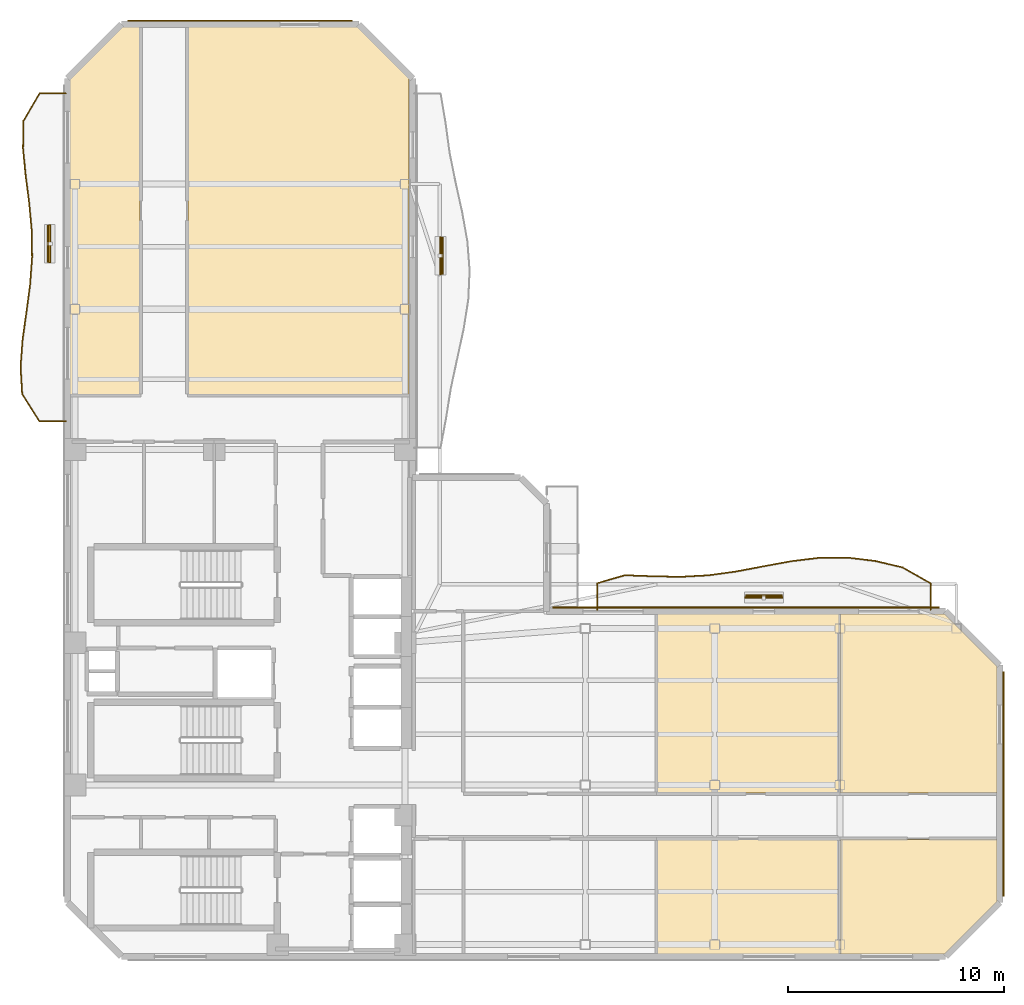
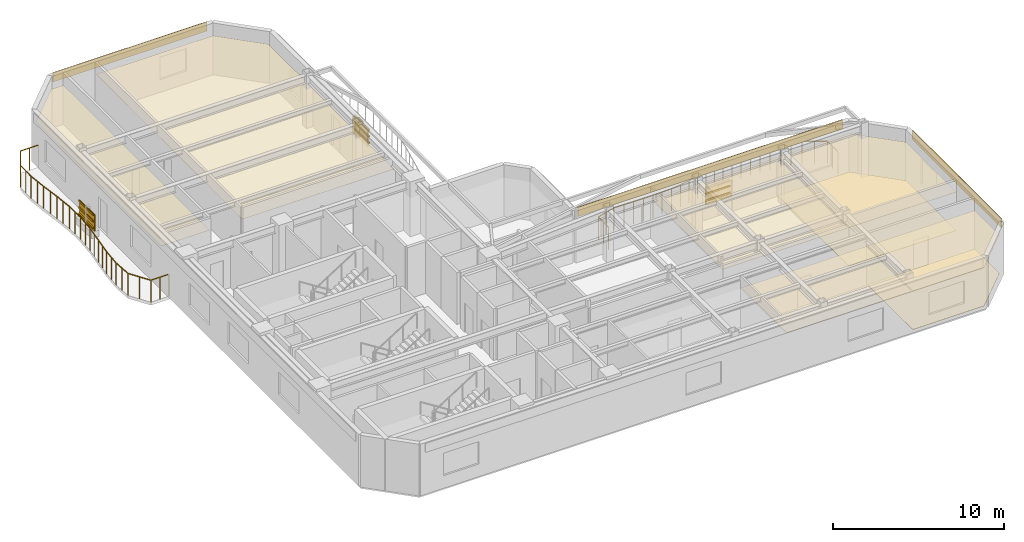
# One storey, part 11 of 11: 12 shading devices, 11 coverings, 2 railings.
"""IFC4 building model written with IfcOpenShell, lengths in metres."""

from ifc_helpers import new_model, si_unit, direction, frame, origin, origin_2d, place, context, subcontext, project, spatial, polyline, rectangle, outline, extrude, material, layer, layer_set, material_profile, profile_set, type_object, element, save


model = new_model("IFC4")

# Units and contexts
model_context = context("Model", 3, precision=1e-05, world=origin(), true_north=direction((0.0, 1.0)))
body_context = subcontext(model_context, "Body", "Model", "MODEL_VIEW")
ifc_project = project(units=[si_unit("LENGTHUNIT", "METRE"), si_unit("AREAUNIT", "SQUARE_METRE"), si_unit("VOLUMEUNIT", "CUBIC_METRE"), si_unit("PLANEANGLEUNIT", "RADIAN"), si_unit("MASSUNIT", "GRAM", prefix="KILO")], contexts=[model_context])

# Site, building, storey
site_placement = place(None, origin())
site = spatial("IfcSite", under=ifc_project, at=site_placement, CompositionType="ELEMENT")
building_placement = place(site_placement, origin())
building = spatial("IfcBuilding", under=site, at=building_placement, Name="Mawjaban Terraces University", CompositionType="ELEMENT")
storey_placement = place(building_placement, frame((0.0, 0.0, 214.800048828125)))
storey = spatial("IfcBuildingStorey", under=building, at=storey_placement, Name="L52", CompositionType="ELEMENT", Elevation=214.800048828125)

# Coverings
ifc_material_1 = material(Name="Acoustic mineral fibre ceiling tile", Category="masonry")
ifc_layer_1 = layer(ifc_material_1, 0.02001953125)
ifc_layer_set_1 = layer_set([ifc_layer_1], Name="Acoustic mineral fibre ceiling tile")
covering_type_1 = type_object("IfcCoveringType", Name="AcousticMineralCeiling_20", PredefinedType="CEILING", material=ifc_layer_set_1)
covering_1_placement = place(storey_placement, frame((0.0, 0.0, 2.75)))
element("IfcCovering", 1, at=covering_1_placement, inside=storey, type_object=covering_type_1, Name="L52 Graduate Study Lounge 4 Acoustic Ceiling", PredefinedType="CEILING", context=body_context, shape_type="SweptSolid", body=[
    extrude(outline(polyline([(49.325927734375, 0.114990234375), (57.77001953125, 0.114990234375), (57.77001953125, 5.419921875), (49.325927734375, 5.419921875), (49.325927734375, 0.114990234375)])), origin(), (0.0, 0.0, 1.0), 0.02001953125),
])
covering_2_placement = place(storey_placement, frame((0.0, 0.0, 2.75)))
element("IfcCovering", 2, at=covering_2_placement, inside=storey, type_object=covering_type_1, Name="L52 Collaborative Study Room 5 Acoustic Ceiling", PredefinedType="CEILING", context=body_context, shape_type="SweptSolid", body=[
    extrude(outline(polyline([(57.77001953125, 15.885009765625), (49.325927734375, 15.885009765625), (49.325927734375, 7.580078125), (57.77001953125, 7.580078125), (57.77001953125, 15.885009765625)])), origin(), (0.0, 0.0, 1.0), 0.02001953125),
])
covering_3_placement = place(storey_placement, frame((0.0, 0.0, 2.75)))
element("IfcCovering", 3, at=covering_3_placement, inside=storey, type_object=covering_type_1, Name="L52 Classroom 6 Acoustic Ceiling", PredefinedType="CEILING", context=body_context, shape_type="SweptSolid", body=[
    extrude(outline(polyline([(57.830078125, 0.114990234375), (62.653076171875, 0.114990234375), (65.0849609375, 2.547119140625), (65.0849609375, 5.419921875), (57.830078125, 5.419921875), (57.830078125, 0.114990234375)])), origin(), (0.0, 0.0, 1.0), 0.02001953125),
])
covering_4_placement = place(storey_placement, frame((0.0, 0.0, 2.75)))
element("IfcCovering", 4, at=covering_4_placement, inside=storey, type_object=covering_type_1, Name="L52 Seminar Room 7 Acoustic Ceiling", PredefinedType="CEILING", context=body_context, shape_type="SweptSolid", body=[
    extrude(outline(polyline([(65.0849609375, 7.580078125), (65.0849609375, 13.452880859375), (62.653076171875, 15.885009765625), (57.830078125, 15.885009765625), (57.830078125, 7.580078125), (65.0849609375, 7.580078125)])), origin(), (0.0, 0.0, 1.0), 0.02001953125),
])
covering_5_placement = place(storey_placement, frame((0.0, 0.0, 2.75)))
element("IfcCovering", 5, at=covering_5_placement, inside=storey, type_object=covering_type_1, Name="L52 Collaborative Study Room 8 Acoustic Ceiling", PredefinedType="CEILING", context=body_context, shape_type="SweptSolid", body=[
    extrude(outline(polyline([(25.3701171875, 43.0849609375), (24.547119140625, 43.0849609375), (22.114990234375, 40.653076171875), (22.114990234375, 26.030029296875), (25.3701171875, 26.030029296875), (25.3701171875, 43.0849609375)])), origin(), (0.0, 0.0, 1.0), 0.02001953125),
])
covering_6_placement = place(storey_placement, frame((0.0, 0.0, 2.75)))
element("IfcCovering", 6, at=covering_6_placement, inside=storey, type_object=covering_type_1, Name="L52 Collaborative Study Room 9 Acoustic Ceiling", PredefinedType="CEILING", context=body_context, shape_type="SweptSolid", body=[
    extrude(outline(polyline([(37.820068359375, 40.718017578125), (35.452880859375, 43.0849609375), (27.580078125, 43.0849609375), (27.580078125, 26.030029296875), (37.820068359375, 26.030029296875), (37.820068359375, 40.718017578125)])), origin(), (0.0, 0.0, 1.0), 0.02001953125),
])

# Railings
ifc_material_2 = material(Name="Galvanised powder-coated steel S355", Category="steel")
railing_type = type_object("IfcRailingType", Name="BalconyBalustrade_1600", PredefinedType="BALUSTRADE", material=ifc_material_2)
railing_1_placement = place(storey_placement, frame((21.919921875, 24.800048828125, 0.0)))
element("IfcRailing", 7, at=railing_1_placement, inside=storey, type_object=railing_type, Name="L52 Balcony Guardrail west", PredefinedType="BALUSTRADE", context=body_context, shape_type="SweptSolid", body=[
    extrude(rectangle(XDim=0.048095703125, YDim=0.048095703125, at=origin_2d()), frame((0.0, 0.0, 1.576171875), z_axis=(-1.0, 0.0, 0.0), x_axis=(0.0, -1.0, 0.0)), (0.0, 0.0, 1.0), 1.219970703125),
    extrude(rectangle(XDim=0.048095703125, YDim=0.048095703125, at=origin_2d()), frame((-1.219970703125, 0.0, 1.576171875), z_axis=(-0.535357970181, 0.844625268248, 0.0), x_axis=(-0.844625268248, -0.535357970181, 0.0)), (0.0, 0.0, 1.0), 1.5),
    extrude(rectangle(XDim=0.048095703125, YDim=0.048095703125, at=origin_2d()), frame((-2.02294921875, 1.266845703125, 1.576171875), z_axis=(-0.059094386176, 0.998252399708, 0.0), x_axis=(-0.998252399708, -0.059094386176, 0.0)), (0.0, 0.0, 1.0), 1.268310546875),
    extrude(rectangle(XDim=0.048095703125, YDim=0.048095703125, at=origin_2d()), frame((-2.097900390625, 2.532958984375, 1.576171875), z_axis=(0.074742182019, 0.997202891205, 0.0), x_axis=(-0.997202891205, 0.074742182019, 0.0)), (0.0, 0.0, 1.0), 1.270751953125),
    extrude(rectangle(XDim=0.048095703125, YDim=0.048095703125, at=origin_2d()), frame((-2.0029296875, 3.800048828125, 1.576171875), z_axis=(0.137625592159, 0.990484324148, 0.0), x_axis=(-0.990484324148, 0.137625592159, 0.0)), (0.0, 0.0, 1.0), 1.279052734375),
    extrude(rectangle(XDim=0.048095703125, YDim=0.048095703125, at=origin_2d()), frame((-1.826904296875, 5.06689453125, 1.576171875), z_axis=(0.133014918765, 0.991114035511, 0.0), x_axis=(-0.991114035511, 0.133014918765, 0.0)), (0.0, 0.0, 1.0), 1.27734375),
    extrude(rectangle(XDim=0.048095703125, YDim=0.048095703125, at=origin_2d()), frame((-1.656982421875, 6.3330078125, 1.576171875), z_axis=(0.0732274267, 0.997315268097, 0.0), x_axis=(-0.997315268097, 0.0732274267, 0.0)), (0.0, 0.0, 1.0), 1.270263671875),
    extrude(rectangle(XDim=0.048095703125, YDim=0.048095703125, at=origin_2d()), frame((-1.56396484375, 7.599853515625, 1.576171875), z_axis=(-0.01425673973, 0.999898367522, 0.0), x_axis=(-0.999898367522, -0.01425673973, 0.0)), (0.0, 0.0, 1.0), 1.267333984375),
    extrude(rectangle(XDim=0.048095703125, YDim=0.048095703125, at=origin_2d()), frame((-1.58203125, 8.866943359375, 1.576171875), z_axis=(-0.092734036255, 0.995690915154, 0.0), x_axis=(-0.995690915154, -0.092734036255, 0.0)), (0.0, 0.0, 1.0), 1.271484375),
    extrude(rectangle(XDim=0.048095703125, YDim=0.048095703125, at=origin_2d()), frame((-1.699951171875, 10.133056640625, 1.576171875), z_axis=(-0.127680223181, 0.991815386354, 0.0), x_axis=(-0.991815386354, -0.127680223181, 0.0)), (0.0, 0.0, 1.0), 1.27734375),
    extrude(rectangle(XDim=0.048095703125, YDim=0.048095703125, at=origin_2d()), frame((-1.863037109375, 11.39990234375, 1.576171875), z_axis=(-0.095705097535, 0.995409731872, 0.0), x_axis=(-0.995409731872, -0.095705097535, 0.0)), (0.0, 0.0, 1.0), 1.27294921875),
    extrude(rectangle(XDim=0.048095703125, YDim=0.048095703125, at=origin_2d()), frame((-1.98486328125, 12.6669921875, 1.576171875), z_axis=(0.017355148491, 0.999849388068, 0.0), x_axis=(-0.999849388068, 0.017355148491, 0.0)), (0.0, 0.0, 1.0), 1.26611328125),
    extrude(rectangle(XDim=0.048095703125, YDim=0.048095703125, at=origin_2d()), frame((-1.962890625, 13.932861328125, 1.576171875), z_axis=(0.505792014702, 0.862655457215, 0.0), x_axis=(-0.862655457215, 0.505792014702, 0.0)), (0.0, 0.0, 1.0), 1.46875),
    extrude(rectangle(XDim=0.048095703125, YDim=0.048095703125, at=origin_2d()), frame((-1.219970703125, 15.199951171875, 1.576171875), z_axis=(1.0, 0.0, 0.0), x_axis=(0.0, 1.0, 0.0)), (0.0, 0.0, 1.0), 1.219970703125),
    extrude(rectangle(XDim=0.0419921875, YDim=0.0419921875, at=origin_2d()), origin(), (0.0, 0.0, 1.0), 1.552001953125),
    extrude(rectangle(XDim=0.0419921875, YDim=0.0419921875, at=origin_2d()), frame((-0.60986328125, 0.0, 0.0)), (0.0, 0.0, 1.0), 1.552001953125),
    extrude(rectangle(XDim=0.0419921875, YDim=0.0419921875, at=origin_2d()), frame((-1.219970703125, 0.0, 0.0)), (0.0, 0.0, 1.0), 1.552001953125),
    extrude(rectangle(XDim=0.0419921875, YDim=0.0419921875, at=origin_2d()), frame((-1.62158203125, 0.63330078125, 0.0)), (0.0, 0.0, 1.0), 1.552001953125),
    extrude(rectangle(XDim=0.0419921875, YDim=0.0419921875, at=origin_2d()), frame((-2.02294921875, 1.266845703125, 0.0)), (0.0, 0.0, 1.0), 1.552001953125),
    extrude(rectangle(XDim=0.0419921875, YDim=0.0419921875, at=origin_2d()), frame((-2.060546875, 1.89990234375, 0.0)), (0.0, 0.0, 1.0), 1.552001953125),
    extrude(rectangle(XDim=0.0419921875, YDim=0.0419921875, at=origin_2d()), frame((-2.097900390625, 2.532958984375, 0.0)), (0.0, 0.0, 1.0), 1.552001953125),
    extrude(rectangle(XDim=0.0419921875, YDim=0.0419921875, at=origin_2d()), frame((-2.05029296875, 3.16650390625, 0.0)), (0.0, 0.0, 1.0), 1.552001953125),
    extrude(rectangle(XDim=0.0419921875, YDim=0.0419921875, at=origin_2d()), frame((-2.0029296875, 3.800048828125, 0.0)), (0.0, 0.0, 1.0), 1.552001953125),
    extrude(rectangle(XDim=0.0419921875, YDim=0.0419921875, at=origin_2d()), frame((-1.9150390625, 4.43359375, 0.0)), (0.0, 0.0, 1.0), 1.552001953125),
    extrude(rectangle(XDim=0.0419921875, YDim=0.0419921875, at=origin_2d()), frame((-1.826904296875, 5.06689453125, 0.0)), (0.0, 0.0, 1.0), 1.552001953125),
    extrude(rectangle(XDim=0.0419921875, YDim=0.0419921875, at=origin_2d()), frame((-1.741943359375, 5.699951171875, 0.0)), (0.0, 0.0, 1.0), 1.552001953125),
    extrude(rectangle(XDim=0.0419921875, YDim=0.0419921875, at=origin_2d()), frame((-1.656982421875, 6.3330078125, 0.0)), (0.0, 0.0, 1.0), 1.552001953125),
    extrude(rectangle(XDim=0.0419921875, YDim=0.0419921875, at=origin_2d()), frame((-1.6103515625, 6.96630859375, 0.0)), (0.0, 0.0, 1.0), 1.552001953125),
    extrude(rectangle(XDim=0.0419921875, YDim=0.0419921875, at=origin_2d()), frame((-1.56396484375, 7.599853515625, 0.0)), (0.0, 0.0, 1.0), 1.552001953125),
    extrude(rectangle(XDim=0.0419921875, YDim=0.0419921875, at=origin_2d()), frame((-1.572998046875, 8.2333984375, 0.0)), (0.0, 0.0, 1.0), 1.552001953125),
    extrude(rectangle(XDim=0.0419921875, YDim=0.0419921875, at=origin_2d()), frame((-1.58203125, 8.866943359375, 0.0)), (0.0, 0.0, 1.0), 1.552001953125),
    extrude(rectangle(XDim=0.0419921875, YDim=0.0419921875, at=origin_2d()), frame((-1.64111328125, 9.5, 0.0)), (0.0, 0.0, 1.0), 1.552001953125),
    extrude(rectangle(XDim=0.0419921875, YDim=0.0419921875, at=origin_2d()), frame((-1.699951171875, 10.133056640625, 0.0)), (0.0, 0.0, 1.0), 1.552001953125),
    extrude(rectangle(XDim=0.0419921875, YDim=0.0419921875, at=origin_2d()), frame((-1.781494140625, 10.7666015625, 0.0)), (0.0, 0.0, 1.0), 1.552001953125),
    extrude(rectangle(XDim=0.0419921875, YDim=0.0419921875, at=origin_2d()), frame((-1.863037109375, 11.39990234375, 0.0)), (0.0, 0.0, 1.0), 1.552001953125),
    extrude(rectangle(XDim=0.0419921875, YDim=0.0419921875, at=origin_2d()), frame((-1.923828125, 12.033447265625, 0.0)), (0.0, 0.0, 1.0), 1.552001953125),
    extrude(rectangle(XDim=0.0419921875, YDim=0.0419921875, at=origin_2d()), frame((-1.98486328125, 12.6669921875, 0.0)), (0.0, 0.0, 1.0), 1.552001953125),
    extrude(rectangle(XDim=0.0419921875, YDim=0.0419921875, at=origin_2d()), frame((-1.973876953125, 13.2998046875, 0.0)), (0.0, 0.0, 1.0), 1.552001953125),
    extrude(rectangle(XDim=0.0419921875, YDim=0.0419921875, at=origin_2d()), frame((-1.962890625, 13.932861328125, 0.0)), (0.0, 0.0, 1.0), 1.552001953125),
    extrude(rectangle(XDim=0.0419921875, YDim=0.0419921875, at=origin_2d()), frame((-1.59130859375, 14.56640625, 0.0)), (0.0, 0.0, 1.0), 1.552001953125),
    extrude(rectangle(XDim=0.0419921875, YDim=0.0419921875, at=origin_2d()), frame((-1.219970703125, 15.199951171875, 0.0)), (0.0, 0.0, 1.0), 1.552001953125),
    extrude(rectangle(XDim=0.0419921875, YDim=0.0419921875, at=origin_2d()), frame((-0.60986328125, 15.199951171875, 0.0)), (0.0, 0.0, 1.0), 1.552001953125),
    extrude(rectangle(XDim=0.0419921875, YDim=0.0419921875, at=origin_2d()), frame((0.0, 15.199951171875, 0.0)), (0.0, 0.0, 1.0), 1.552001953125),
])
railing_2_placement = place(storey_placement, frame((46.550048828125, 16.080078125, 0.0)))
element("IfcRailing", 8, at=railing_2_placement, inside=storey, type_object=railing_type, Name="L52 Balcony Guardrail inner_north", PredefinedType="BALUSTRADE", context=body_context, shape_type="SweptSolid", body=[
    extrude(rectangle(XDim=0.048095703125, YDim=0.048095703125, at=origin_2d()), frame((0.0, 0.0, 1.576171875), z_axis=(0.0, 1.0, 0.0), x_axis=(-1.0, 0.0, 0.0)), (0.0, 0.0, 1.0), 1.219970703125),
    extrude(rectangle(XDim=0.048095703125, YDim=0.048095703125, at=origin_2d()), frame((0.0, 1.219970703125, 1.576171875), z_axis=(0.960457892142, 0.278425281577, 0.0), x_axis=(-0.278425281577, 0.960457892142, 0.0)), (0.0, 0.0, 1.0), 1.33984375),
    extrude(rectangle(XDim=0.048095703125, YDim=0.048095703125, at=origin_2d()), frame((1.286865234375, 1.593017578125, 1.576171875), z_axis=(0.9993036316, -0.037312891476, 0.0), x_axis=(0.037312891476, 0.9993036316, 0.0)), (0.0, 0.0, 1.0), 1.2890625),
    extrude(rectangle(XDim=0.048095703125, YDim=0.048095703125, at=origin_2d()), frame((2.574951171875, 1.544921875, 1.576171875), z_axis=(0.999812889724, -0.019343876091, 0.0), x_axis=(0.019343876091, 0.999812889724, 0.0)), (0.0, 0.0, 1.0), 1.287353515625),
    extrude(rectangle(XDim=0.048095703125, YDim=0.048095703125, at=origin_2d()), frame((3.862060546875, 1.52001953125, 1.576171875), z_axis=(0.998574085061, 0.053383486633, 0.0), x_axis=(-0.053383486633, 0.998574085061, 0.0)), (0.0, 0.0, 1.0), 1.289794921875),
    extrude(rectangle(XDim=0.048095703125, YDim=0.048095703125, at=origin_2d()), frame((5.14990234375, 1.5888671875, 1.576171875), z_axis=(0.990676303816, 0.136236783055, 0.0), x_axis=(-0.136236783055, 0.990676303816, 0.0)), (0.0, 0.0, 1.0), 1.29931640625),
    extrude(rectangle(XDim=0.048095703125, YDim=0.048095703125, at=origin_2d()), frame((6.43701171875, 1.765869140625, 1.576171875), z_axis=(0.982637311444, 0.185536826957, 0.0), x_axis=(-0.185536826957, 0.982637311444, 0.0)), (0.0, 0.0, 1.0), 1.310546875),
    extrude(rectangle(XDim=0.048095703125, YDim=0.048095703125, at=origin_2d()), frame((7.724853515625, 2.009033203125, 1.576171875), z_axis=(0.983358605685, 0.181675129351, 0.0), x_axis=(-0.181675129351, 0.983358605685, 0.0)), (0.0, 0.0, 1.0), 1.308837890625),
    extrude(rectangle(XDim=0.048095703125, YDim=0.048095703125, at=origin_2d()), frame((9.011962890625, 2.246826171875, 1.576171875), z_axis=(0.99301245072, 0.118009629758, 0.0), x_axis=(-0.118009629758, 0.99301245072, 0.0)), (0.0, 0.0, 1.0), 1.297119140625),
    extrude(rectangle(XDim=0.048095703125, YDim=0.048095703125, at=origin_2d()), frame((10.300048828125, 2.39990234375, 1.576171875), z_axis=(0.999969795398, 0.007772277083, 0.0), x_axis=(-0.007772277083, 0.999969795398, 0.0)), (0.0, 0.0, 1.0), 1.287841796875),
    extrude(rectangle(XDim=0.048095703125, YDim=0.048095703125, at=origin_2d()), frame((11.587890625, 2.409912109375, 1.576171875), z_axis=(0.992913330389, -0.118840726759, 0.0), x_axis=(0.118840726759, 0.992913330389, 0.0)), (0.0, 0.0, 1.0), 1.29638671875),
    extrude(rectangle(XDim=0.048095703125, YDim=0.048095703125, at=origin_2d()), frame((12.875, 2.255859375, 1.576171875), z_axis=(0.973550229414, -0.228473085522, 0.0), x_axis=(0.228473085522, 0.973550229414, 0.0)), (0.0, 0.0, 1.0), 1.32177734375),
    extrude(rectangle(XDim=0.048095703125, YDim=0.048095703125, at=origin_2d()), frame((14.161865234375, 1.953857421875, 1.576171875), z_axis=(0.868870777196, -0.495038960624, 0.0), x_axis=(0.495038960624, 0.868870777196, 0.0)), (0.0, 0.0, 1.0), 1.482421875),
    extrude(rectangle(XDim=0.048095703125, YDim=0.048095703125, at=origin_2d()), frame((15.449951171875, 1.219970703125, 1.576171875), z_axis=(0.0, -1.0, 0.0), x_axis=(1.0, 0.0, 0.0)), (0.0, 0.0, 1.0), 1.219970703125),
    extrude(rectangle(XDim=0.0419921875, YDim=0.0419921875, at=origin_2d()), origin(), (0.0, 0.0, 1.0), 1.552001953125),
    extrude(rectangle(XDim=0.0419921875, YDim=0.0419921875, at=origin_2d()), frame((0.0, 0.60986328125, 0.0)), (0.0, 0.0, 1.0), 1.552001953125),
    extrude(rectangle(XDim=0.0419921875, YDim=0.0419921875, at=origin_2d()), frame((0.0, 1.219970703125, 0.0)), (0.0, 0.0, 1.0), 1.552001953125),
    extrude(rectangle(XDim=0.0419921875, YDim=0.0419921875, at=origin_2d()), frame((0.6435546875, 1.406494140625, 0.0)), (0.0, 0.0, 1.0), 1.552001953125),
    extrude(rectangle(XDim=0.0419921875, YDim=0.0419921875, at=origin_2d()), frame((1.286865234375, 1.593017578125, 0.0)), (0.0, 0.0, 1.0), 1.552001953125),
    extrude(rectangle(XDim=0.0419921875, YDim=0.0419921875, at=origin_2d()), frame((1.930908203125, 1.56884765625, 0.0)), (0.0, 0.0, 1.0), 1.552001953125),
    extrude(rectangle(XDim=0.0419921875, YDim=0.0419921875, at=origin_2d()), frame((2.574951171875, 1.544921875, 0.0)), (0.0, 0.0, 1.0), 1.552001953125),
    extrude(rectangle(XDim=0.0419921875, YDim=0.0419921875, at=origin_2d()), frame((3.218505859375, 1.532470703125, 0.0)), (0.0, 0.0, 1.0), 1.552001953125),
    extrude(rectangle(XDim=0.0419921875, YDim=0.0419921875, at=origin_2d()), frame((3.862060546875, 1.52001953125, 0.0)), (0.0, 0.0, 1.0), 1.552001953125),
    extrude(rectangle(XDim=0.0419921875, YDim=0.0419921875, at=origin_2d()), frame((4.505859375, 1.554443359375, 0.0)), (0.0, 0.0, 1.0), 1.552001953125),
    extrude(rectangle(XDim=0.0419921875, YDim=0.0419921875, at=origin_2d()), frame((5.14990234375, 1.5888671875, 0.0)), (0.0, 0.0, 1.0), 1.552001953125),
    extrude(rectangle(XDim=0.0419921875, YDim=0.0419921875, at=origin_2d()), frame((5.79345703125, 1.67724609375, 0.0)), (0.0, 0.0, 1.0), 1.552001953125),
    extrude(rectangle(XDim=0.0419921875, YDim=0.0419921875, at=origin_2d()), frame((6.43701171875, 1.765869140625, 0.0)), (0.0, 0.0, 1.0), 1.552001953125),
    extrude(rectangle(XDim=0.0419921875, YDim=0.0419921875, at=origin_2d()), frame((7.0810546875, 1.887451171875, 0.0)), (0.0, 0.0, 1.0), 1.552001953125),
    extrude(rectangle(XDim=0.0419921875, YDim=0.0419921875, at=origin_2d()), frame((7.724853515625, 2.009033203125, 0.0)), (0.0, 0.0, 1.0), 1.552001953125),
    extrude(rectangle(XDim=0.0419921875, YDim=0.0419921875, at=origin_2d()), frame((8.368408203125, 2.1279296875, 0.0)), (0.0, 0.0, 1.0), 1.552001953125),
    extrude(rectangle(XDim=0.0419921875, YDim=0.0419921875, at=origin_2d()), frame((9.011962890625, 2.246826171875, 0.0)), (0.0, 0.0, 1.0), 1.552001953125),
    extrude(rectangle(XDim=0.0419921875, YDim=0.0419921875, at=origin_2d()), frame((9.656005859375, 2.3232421875, 0.0)), (0.0, 0.0, 1.0), 1.552001953125),
    extrude(rectangle(XDim=0.0419921875, YDim=0.0419921875, at=origin_2d()), frame((10.300048828125, 2.39990234375, 0.0)), (0.0, 0.0, 1.0), 1.552001953125),
    extrude(rectangle(XDim=0.0419921875, YDim=0.0419921875, at=origin_2d()), frame((10.94384765625, 2.40478515625, 0.0)), (0.0, 0.0, 1.0), 1.552001953125),
    extrude(rectangle(XDim=0.0419921875, YDim=0.0419921875, at=origin_2d()), frame((11.587890625, 2.409912109375, 0.0)), (0.0, 0.0, 1.0), 1.552001953125),
    extrude(rectangle(XDim=0.0419921875, YDim=0.0419921875, at=origin_2d()), frame((12.2314453125, 2.3330078125, 0.0)), (0.0, 0.0, 1.0), 1.552001953125),
    extrude(rectangle(XDim=0.0419921875, YDim=0.0419921875, at=origin_2d()), frame((12.875, 2.255859375, 0.0)), (0.0, 0.0, 1.0), 1.552001953125),
    extrude(rectangle(XDim=0.0419921875, YDim=0.0419921875, at=origin_2d()), frame((13.5185546875, 2.10498046875, 0.0)), (0.0, 0.0, 1.0), 1.552001953125),
    extrude(rectangle(XDim=0.0419921875, YDim=0.0419921875, at=origin_2d()), frame((14.161865234375, 1.953857421875, 0.0)), (0.0, 0.0, 1.0), 1.552001953125),
    extrude(rectangle(XDim=0.0419921875, YDim=0.0419921875, at=origin_2d()), frame((14.805908203125, 1.5869140625, 0.0)), (0.0, 0.0, 1.0), 1.552001953125),
    extrude(rectangle(XDim=0.0419921875, YDim=0.0419921875, at=origin_2d()), frame((15.449951171875, 1.219970703125, 0.0)), (0.0, 0.0, 1.0), 1.552001953125),
    extrude(rectangle(XDim=0.0419921875, YDim=0.0419921875, at=origin_2d()), frame((15.449951171875, 0.60986328125, 0.0)), (0.0, 0.0, 1.0), 1.552001953125),
    extrude(rectangle(XDim=0.0419921875, YDim=0.0419921875, at=origin_2d()), frame((15.449951171875, 0.0, 0.0)), (0.0, 0.0, 1.0), 1.552001953125),
])

# Shading devices
ifc_material_3 = material(Name="Glazed architectural terracotta ceramic", Category="masonry")
ifc_material_profile = material_profile(ifc_material_3, rectangle(XDim=0.06494140625, YDim=0.110107421875, at=origin_2d()), Name="TBAG110X65")
ifc_profile_set = profile_set([ifc_material_profile], Name="Glazed architectural terracotta ceramic")
shading_device_type_1 = type_object("IfcShadingDeviceType", Name="TerracottaBaguette_110x65", PredefinedType="USERDEFINED", material=ifc_profile_set)
for number, where, z_axis, x_axis, name in (
    (9, (21.093017578125, 32.18408203125, 0.679931640625), (0.0, 1.0, 0.0), (-1.0, 0.0, 0.0), "L52 Horizontal Terracotta Baguette west.1"),
    (10, (21.093017578125, 32.18408203125, 1.14990234375), (0.0, 1.0, 0.0), (-1.0, 0.0, 0.0), "L52 Horizontal Terracotta Baguette west.2"),
    (11, (21.093017578125, 32.18408203125, 1.619873046875), (0.0, 1.0, 0.0), (-1.0, 0.0, 0.0), "L52 Horizontal Terracotta Baguette west.3"),
    (12, (53.425048828125, 16.72998046875, 0.679931640625), (1.0, 0.0, 0.0), (0.0, 1.0, 0.0), "L52 Horizontal Terracotta Baguette inner_north.1"),
    (13, (53.425048828125, 16.72998046875, 1.14990234375), (1.0, 0.0, 0.0), (0.0, 1.0, 0.0), "L52 Horizontal Terracotta Baguette inner_north.2"),
    (14, (53.425048828125, 16.72998046875, 1.619873046875), (1.0, 0.0, 0.0), (0.0, 1.0, 0.0), "L52 Horizontal Terracotta Baguette inner_north.3"),
    (15, (39.376953125, 31.625, 0.679931640625), (0.0, 1.0, 0.0), (-1.0, 0.0, 0.0), "L52 Horizontal Terracotta Baguette inner_east.1"),
    (16, (39.376953125, 31.625, 1.14990234375), (0.0, 1.0, 0.0), (-1.0, 0.0, 0.0), "L52 Horizontal Terracotta Baguette inner_east.2"),
    (17, (39.376953125, 31.625, 1.619873046875), (0.0, 1.0, 0.0), (-1.0, 0.0, 0.0), "L52 Horizontal Terracotta Baguette inner_east.3"),
):
    element("IfcShadingDevice", number, at=place(storey_placement, frame(where, z_axis=z_axis, x_axis=x_axis)), inside=storey, type_object=shading_device_type_1, Name=name, ObjectType="BAGUETTE", PredefinedType="USERDEFINED", context=body_context, shape_type="SweptSolid", body=[
        extrude(rectangle(XDim=0.06494140625, YDim=0.110107421875, at=origin_2d()), origin(), (0.0, 0.0, 1.0), 1.699951171875),
    ])
ifc_layer_2 = layer(ifc_material_3, 0.080078125)
ifc_layer_set_2 = layer_set([ifc_layer_2], Name="Glazed architectural terracotta ceramic")
shading_device_type_2 = type_object("IfcShadingDeviceType", Name="TerracottaScreen_Perforated", PredefinedType="USERDEFINED", material=ifc_layer_set_2)
for number, where, z_axis, x_axis, name in (
    (18, (21.177978515625, 33.033935546875, 0.43994140625), (0.0, 0.0, 1.0), (0.0, 1.0, 0.0), "L52 Balcony Perforated Terracotta Screen west"),
    (19, (54.27490234375, 16.64501953125, 0.43994140625), (0.0, 0.0, 1.0), (1.0, 0.0, 0.0), "L52 Balcony Perforated Terracotta Screen inner_north"),
    (20, (39.2919921875, 32.47509765625, 0.43994140625), (0.0, 0.0, 1.0), (0.0, 1.0, 0.0), "L52 Balcony Perforated Terracotta Screen inner_east"),
):
    element("IfcShadingDevice", number, at=place(storey_placement, frame(where, z_axis=z_axis, x_axis=x_axis)), inside=storey, type_object=shading_device_type_2, Name=name, ObjectType="SCREEN", PredefinedType="USERDEFINED", context=body_context, shape_type="SweptSolid", body=[
        extrude(rectangle(XDim=1.75, YDim=0.080078125, at=origin_2d()), origin(), (0.0, 0.0, 1.0), 1.14990234375),
    ])

# Coverings
ifc_material_4 = material(Name="Glazed architectural terracotta rainscreen", Category="masonry")
ifc_layer_3 = layer(ifc_material_4, 0.06005859375)
ifc_layer_set_3 = layer_set([ifc_layer_3], Name="Glazed architectural terracotta rainscreen")
covering_type_2 = type_object("IfcCoveringType", Name="TerracottaSpandrelCladding_60", PredefinedType="CLADDING", material=ifc_layer_set_3)
covering_7_placement = place(storey_placement, frame((65.375, 8.0, 3.014892578125), z_axis=(0.0, 0.0, 1.0), x_axis=(0.0, 1.0, 0.0)))
element("IfcCovering", 21, at=covering_7_placement, inside=storey, type_object=covering_type_2, Name="L52 Terracotta Spandrel Cladding 3", PredefinedType="CLADDING", context=body_context, shape_type="SweptSolid", body=[
    extrude(rectangle(XDim=10.39990234375, YDim=0.06005859375, at=origin_2d()), origin(), (0.0, 0.0, 1.0), 0.64990234375),
])
covering_8_placement = place(storey_placement, frame((53.449951171875, 16.175048828125, 3.014892578125), z_axis=(0.0, 0.0, 1.0), x_axis=(-1.0, 0.0, 0.0)))
element("IfcCovering", 22, at=covering_8_placement, inside=storey, type_object=covering_type_2, Name="L52 Terracotta Spandrel Cladding 5", PredefinedType="CLADDING", context=body_context, shape_type="SweptSolid", body=[
    extrude(rectangle(XDim=17.89990234375, YDim=0.06005859375, at=origin_2d()), origin(), (0.0, 0.0, 1.0), 0.64990234375),
])
covering_9_placement = place(storey_placement, frame((30.0, 43.375, 3.014892578125), z_axis=(0.0, 0.0, 1.0), x_axis=(-1.0, 0.0, 0.0)))
element("IfcCovering", 23, at=covering_9_placement, inside=storey, type_object=covering_type_2, Name="L52 Terracotta Spandrel Cladding 11", PredefinedType="CLADDING", context=body_context, shape_type="SweptSolid", body=[
    extrude(rectangle(XDim=10.39990234375, YDim=0.06005859375, at=origin_2d()), origin(), (0.0, 0.0, 1.0), 0.64990234375),
])
ifc_material_5 = material(Name="Polished Hijazi granite terrazzo flooring", Category="masonry")
ifc_layer_4 = layer(ifc_material_5, 0.02490234375)
ifc_layer_set_4 = layer_set([ifc_layer_4], Name="Polished Hijazi granite terrazzo flooring")
covering_type_3 = type_object("IfcCoveringType", Name="TerrazzoConcourseFlooring_25", PredefinedType="FLOORING", material=ifc_layer_set_4)
covering_10_placement = place(storey_placement, origin())
element("IfcCovering", 24, at=covering_10_placement, inside=storey, type_object=covering_type_3, Name="L52 Classroom 6 Terrazzo Flooring", PredefinedType="FLOORING", context=body_context, shape_type="SweptSolid", body=[
    extrude(outline(polyline([(57.830078125, 0.114990234375), (62.653076171875, 0.114990234375), (65.0849609375, 2.547119140625), (65.0849609375, 5.419921875), (57.830078125, 5.419921875), (57.830078125, 0.114990234375)])), origin(), (0.0, 0.0, 1.0), 0.02490234375),
])
covering_11_placement = place(storey_placement, origin())
element("IfcCovering", 25, at=covering_11_placement, inside=storey, type_object=covering_type_3, Name="L52 Seminar Room 7 Terrazzo Flooring", PredefinedType="FLOORING", context=body_context, shape_type="SweptSolid", body=[
    extrude(outline(polyline([(65.0849609375, 7.580078125), (65.0849609375, 13.452880859375), (62.653076171875, 15.885009765625), (57.830078125, 15.885009765625), (57.830078125, 7.580078125), (65.0849609375, 7.580078125)])), origin(), (0.0, 0.0, 1.0), 0.02490234375),
])

save(model, "model.ifc")
